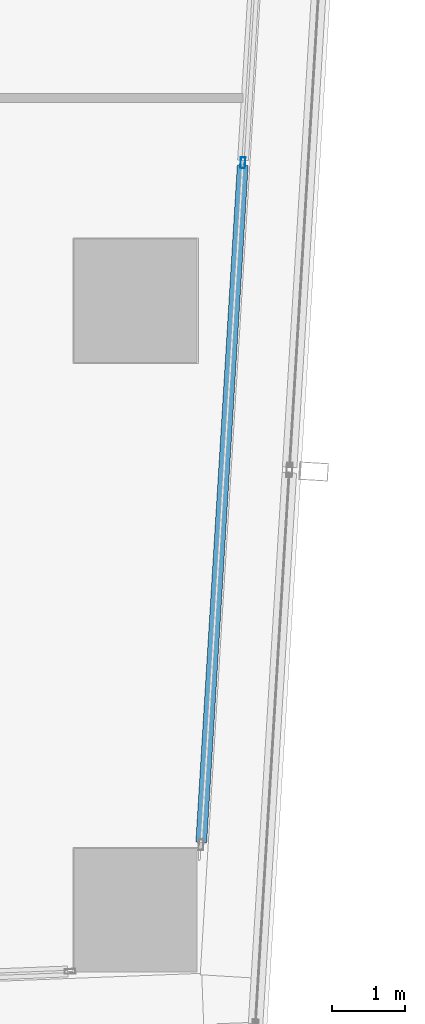
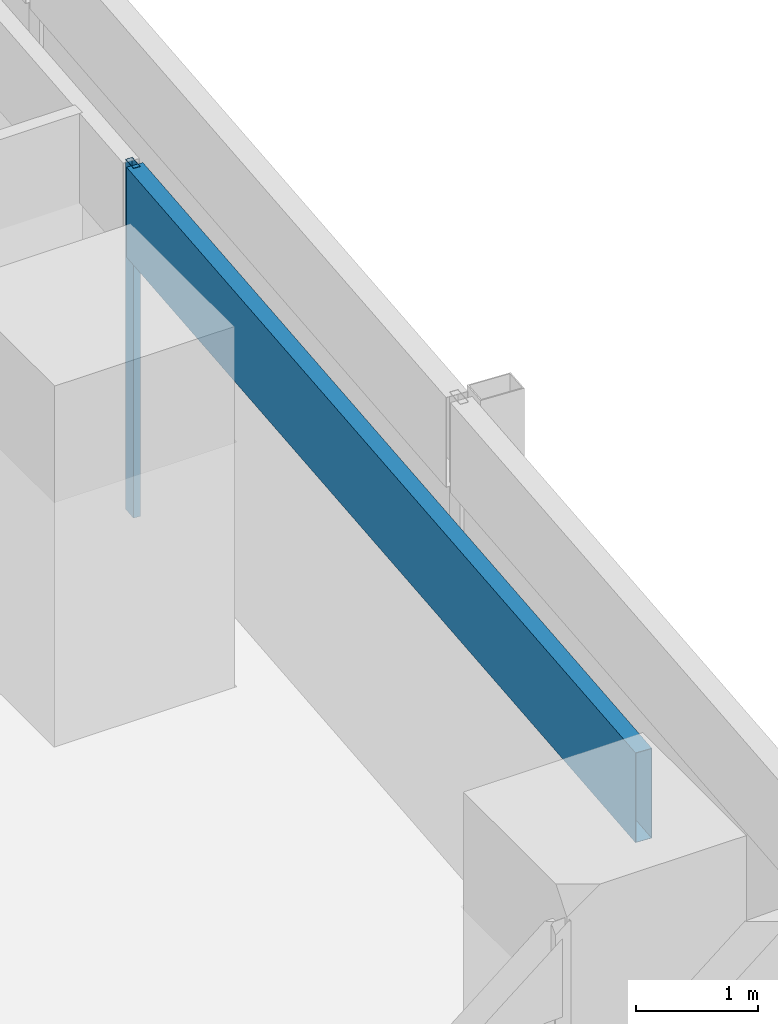
# One storey, part 13 of 40: 2 members, 1 element without a shape of its own.
"""IFC4 building model written with IfcOpenShell, lengths in metres."""

from ifc_helpers import new_model, si_unit, direction, frame, origin, origin_2d, place, context, subcontext, project, spatial, hollow_rectangle, extrude, material, material_profile, profile_set, type_object, element, aggregate, save


model = new_model("IFC4")

# Units and contexts
model_context = context("Model", 3, precision=1e-05, world=origin(), true_north=direction((0.0, 1.0)))
body_context = subcontext(model_context, "Body", "Model", "MODEL_VIEW")
ifc_project = project(units=[si_unit("LENGTHUNIT", "METRE"), si_unit("AREAUNIT", "SQUARE_METRE"), si_unit("VOLUMEUNIT", "CUBIC_METRE"), si_unit("PLANEANGLEUNIT", "RADIAN"), si_unit("MASSUNIT", "GRAM", prefix="KILO")], contexts=[model_context])

# Site, building, storey
site_placement = place(None, origin())
site = spatial("IfcSite", under=ifc_project, at=site_placement, CompositionType="ELEMENT")
building_placement = place(site_placement, origin())
building = spatial("IfcBuilding", under=site, at=building_placement, Name="Rekha Terrace Tower", CompositionType="ELEMENT")
storey_placement = place(building_placement, frame((0.0, 0.0, 136.550048828125)))
storey = spatial("IfcBuildingStorey", under=building, at=storey_placement, Name="L34", CompositionType="ELEMENT", Elevation=136.550048828125)

# Curtain wall, members
ifc_material_1 = material(Name="Aluminium framing", Category="aluminium")
curtain_wall_type = type_object("IfcCurtainWallType", Name="CW1 double skin inner glazing", PredefinedType="USERDEFINED", material=ifc_material_1)
curtain_wall_placement = place(storey_placement, origin())
curtain_wall = element("IfcCurtainWall", 1, at=curtain_wall_placement, inside=storey, type_object=curtain_wall_type, Name="CW1 double skin inner glazing", ObjectType="DOUBLE SKIN INNER GLAZING", PredefinedType="USERDEFINED")
ifc_material_2 = material(Name="Aluminium mullion section", Category="aluminium")
ifc_material_profile_1 = material_profile(ifc_material_2, hollow_rectangle(XDim=0.06494140625, YDim=0.14990234375, WallThickness=0.00390625, at=origin_2d()), Name="AL RHS 65x150")
ifc_profile_set_1 = profile_set([ifc_material_profile_1], Name="Aluminium mullion section")
member_type_1 = type_object("IfcMemberType", Name="CW1 mullion RHS 65 x 150", PredefinedType="MULLION", material=ifc_profile_set_1)
member_1_placement = place(storey_placement, frame((68.679443359375, 27.101806640625, 0.0), z_axis=(0.0, 0.0, 1.0), x_axis=(-0.998127987024, 0.061159803131, 0.0)))
member_1 = element("IfcMember", 2, at=member_1_placement, type_object=member_type_1, Name="CW1 mullion 2", PredefinedType="MULLION", context=body_context, shape_type="SweptSolid", body=[
    extrude(hollow_rectangle(XDim=0.06494140625, YDim=0.14990234375, WallThickness=0.00390625, at=origin_2d()), origin(), (0.0, 0.0, 1.0), 3.5),
])
ifc_material_3 = material(Name="Insulated aluminium spandrel box", Category="aluminium")
ifc_material_profile_2 = material_profile(ifc_material_3, hollow_rectangle(XDim=0.14990234375, YDim=0.89990234375, WallThickness=0.0029296875, at=origin_2d()), Name="AL SPANDREL BOX 150x900")
ifc_profile_set_2 = profile_set([ifc_material_profile_2], Name="Insulated aluminium spandrel box")
member_type_2 = type_object("IfcMemberType", Name="CW1 spandrel transom 150 x 900", PredefinedType="USERDEFINED", material=ifc_profile_set_2)
member_2_placement = place(storey_placement, frame((68.10546875, 17.731689453125, 3.050048828125), z_axis=(0.061145082926, 0.998128888889, 0.0), x_axis=(-0.998128888889, 0.061145082926, 0.0)))
member_2 = element("IfcMember", 3, at=member_2_placement, type_object=member_type_2, Name="CW1 spandrel transom 1", ObjectType="TRANSOM", PredefinedType="USERDEFINED", context=body_context, shape_type="SweptSolid", body=[
    extrude(hollow_rectangle(XDim=0.14990234375, YDim=0.89990234375, WallThickness=0.0029296875, at=origin_2d()), origin(), (0.0, 0.0, 1.0), 9.355224609375),
])
aggregate(curtain_wall, [member_1, member_2])

save(model, "model.ifc")
